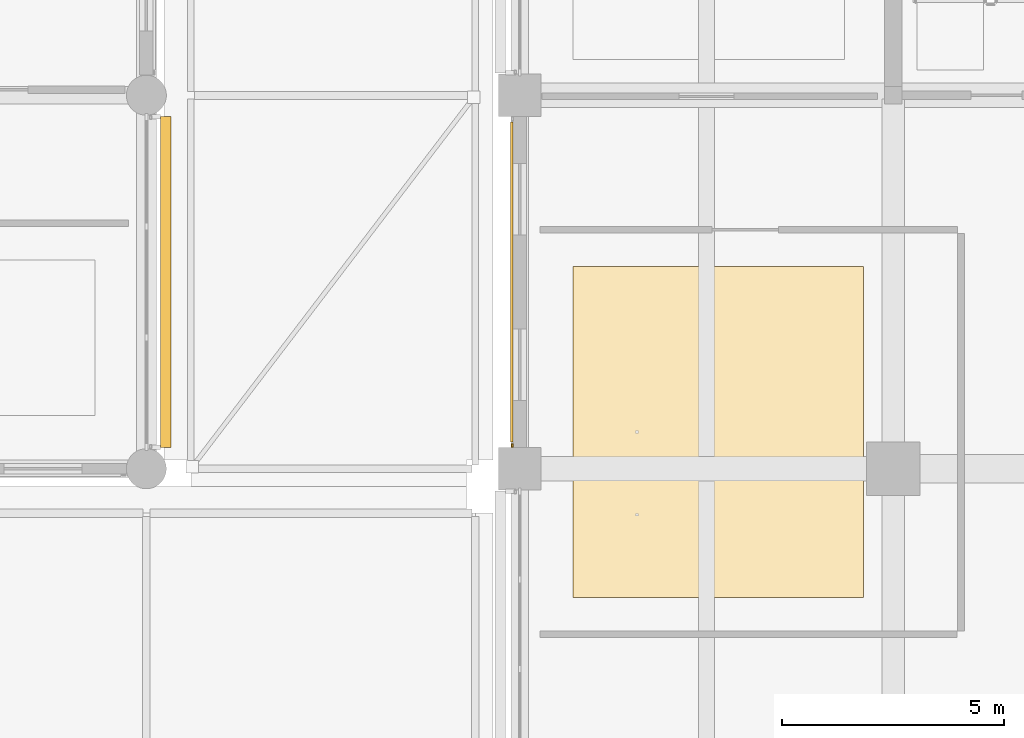
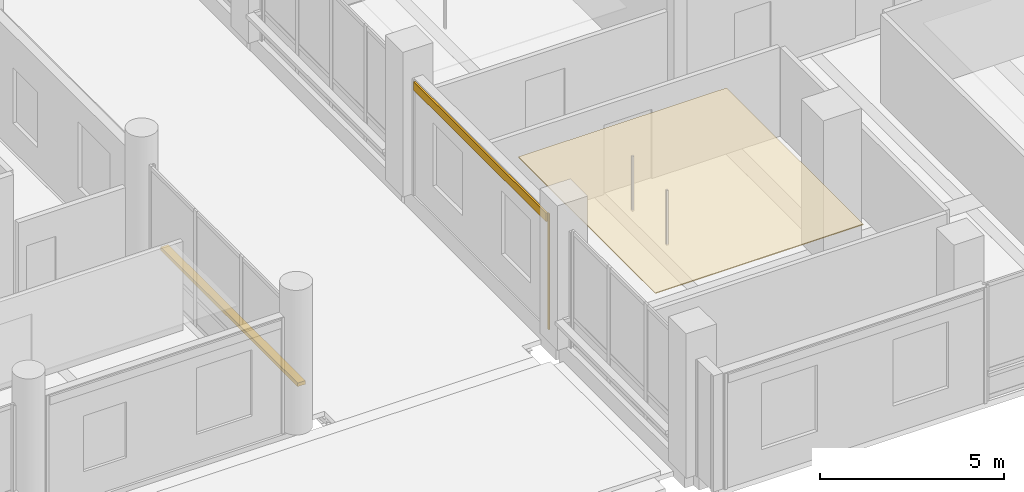
# One storey, part 91 of 128: 3 coverings, 1 shading device.
"""IFC4 building model written with IfcOpenShell, lengths in metres."""

from ifc_helpers import new_model, si_unit, direction, frame, origin, origin_2d, place, context, subcontext, project, spatial, polyline, rectangle, outline, extrude, material, layer, layer_set, type_object, element, save


model = new_model("IFC4")

# Units and contexts
model_context = context("Model", 3, precision=1e-05, world=origin(), true_north=direction((0.0, 1.0)))
body_context = subcontext(model_context, "Body", "Model", "MODEL_VIEW")
ifc_project = project(units=[si_unit("LENGTHUNIT", "METRE"), si_unit("AREAUNIT", "SQUARE_METRE"), si_unit("VOLUMEUNIT", "CUBIC_METRE"), si_unit("PLANEANGLEUNIT", "RADIAN"), si_unit("MASSUNIT", "GRAM", prefix="KILO")], contexts=[model_context])

# Site, building, storey
site_placement = place(None, origin())
site = spatial("IfcSite", under=ifc_project, at=site_placement, CompositionType="ELEMENT")
building_placement = place(site_placement, origin())
building = spatial("IfcBuilding", under=site, at=building_placement, Name="Telukmera Botanical Conservatory", CompositionType="ELEMENT")
storey_placement = place(building_placement, frame((0.0, 0.0, 5.39990234375)))
storey = spatial("IfcBuildingStorey", under=building, at=storey_placement, Name="L01", CompositionType="ELEMENT", Elevation=5.39990234375)

# Coverings
ifc_material_1 = material(Name="Mineral fibre acoustic ceiling")
ifc_layer_1 = layer(ifc_material_1, 0.030029296875)
ifc_layer_set_1 = layer_set([ifc_layer_1], Name="Mineral fibre acoustic ceiling")
covering_type_1 = type_object("IfcCoveringType", Name="COV-CEIL-30", PredefinedType="CEILING", material=ifc_layer_set_1)
covering_1_placement = place(storey_placement, frame((0.0, 0.0, 2.77001953125)))
element("IfcCovering", 1, at=covering_1_placement, inside=storey, type_object=covering_type_1, Name="L01 Botanical Reference Library Suspended Acoustic Ceiling", PredefinedType="CEILING", context=body_context, shape_type="SweptSolid", body=[
    extrude(outline(polyline([(51.60009765625, 14.699951171875), (58.1298828125, 14.699951171875), (58.1298828125, 22.14990234375), (51.60009765625, 22.14990234375), (51.60009765625, 14.699951171875)])), origin(), (0.0, 0.0, 1.0), 0.030029296875),
])
ifc_material_2 = material(Name="Granite-faced precast concrete C40/50", Category="masonry")
ifc_layer_2 = layer(ifc_material_2, 0.0400390625)
ifc_layer_set_2 = layer_set([ifc_layer_2], Name="Granite-faced precast concrete C40/50")
covering_type_2 = type_object("IfcCoveringType", Name="Granite Precast Column Pier Reveal Casing", PredefinedType="CLADDING", material=ifc_layer_set_2)
covering_2_placement = place(storey_placement, frame((50.22998046875, 18.126953125, 0.0), z_axis=(0.0, 0.0, 1.0), x_axis=(0.0, 1.0, 0.0)))
element("IfcCovering", 2, at=covering_2_placement, inside=storey, type_object=covering_type_2, Name="Granite Pier Reveal V4:L01:W2 L", PredefinedType="CLADDING", context=body_context, shape_type="SweptSolid", body=[
    extrude(rectangle(XDim=0.080078125, YDim=0.0400390625, at=origin_2d()), origin(), (0.0, 0.0, 1.0), 3.85009765625),
])

# Shading device
ifc_material_3 = material(Name="Perforated terracotta-anodised aluminium 6063-T6", Category="masonry")
ifc_layer_3 = layer(ifc_material_3, 0.044921875)
ifc_layer_set_3 = layer_set([ifc_layer_3], Name="Perforated terracotta-anodised aluminium 6063-T6")
shading_device_type = type_object("IfcShadingDeviceType", Name="Perforated Terracotta Aluminium Monsoon Brise Soleil", PredefinedType="JALOUSIE", material=ifc_layer_set_3)
shading_device_placement = place(storey_placement, frame((42.43994140625, 21.800048828125, 0.89013671875), z_axis=(0.0, 0.0, 1.0), x_axis=(0.0, 1.0, 0.0)))
element("IfcShadingDevice", 3, at=shading_device_placement, inside=storey, type_object=shading_device_type, Name="Monsoon Shading BS01 V3:L01:E1", PredefinedType="JALOUSIE", context=body_context, shape_type="SweptSolid", body=[
    extrude(rectangle(XDim=7.4560546875, YDim=0.239990234375, at=origin_2d()), origin(), (0.0, 0.0, 1.0), 0.1201171875),
])

# Covering
ifc_material_4 = material(Name="Terracotta-faced precast concrete C40/50", Category="masonry")
ifc_layer_4 = layer(ifc_material_4, 0.06005859375)
ifc_layer_set_4 = layer_set([ifc_layer_4], Name="Terracotta-faced precast concrete C40/50")
covering_type_3 = type_object("IfcCoveringType", Name="Polychrome Terracotta Facade Band Cladding", PredefinedType="CLADDING", material=ifc_layer_set_4)
covering_3_placement = place(storey_placement, frame((50.219970703125, 21.800048828125, 3.5302734375), z_axis=(0.0, 0.0, 1.0), x_axis=(0.0, 1.0, 0.0)))
element("IfcCovering", 4, at=covering_3_placement, inside=storey, type_object=covering_type_3, Name="Polychrome Terracotta Band V4:L01:W2", PredefinedType="CLADDING", context=body_context, shape_type="SweptSolid", body=[
    extrude(rectangle(XDim=7.2060546875, YDim=0.06005859375, at=origin_2d()), origin(), (0.0, 0.0, 1.0), 0.280029296875),
])

save(model, "model.ifc")
